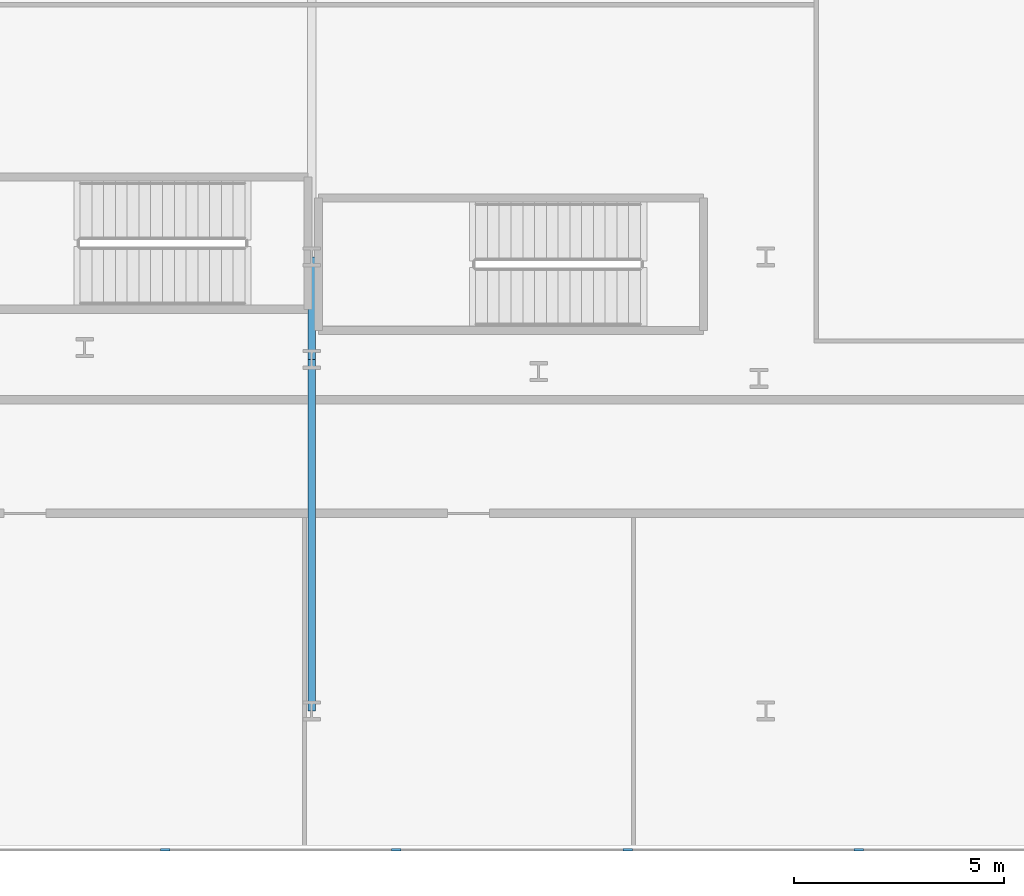
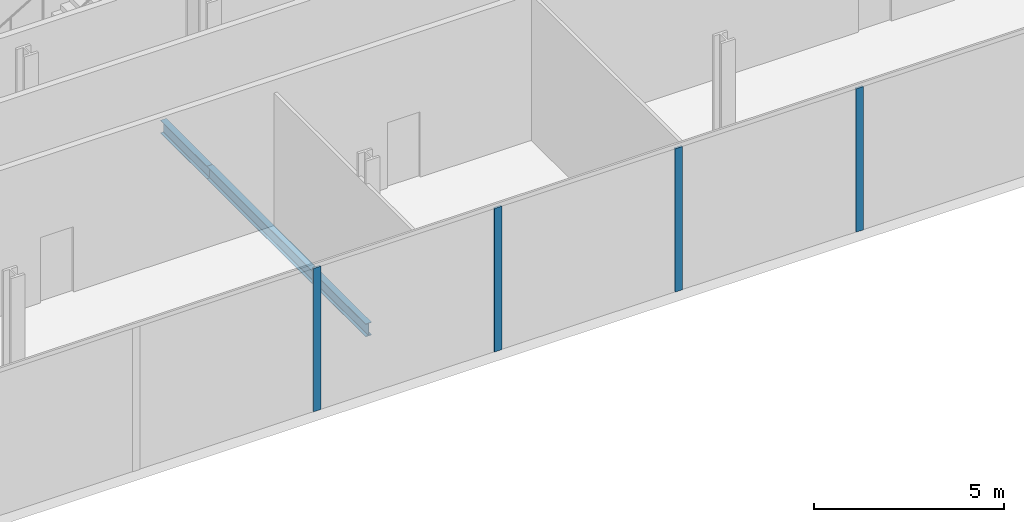
# One storey, part 9 of 47: 4 members, 2 beams, 1 element without a shape of its own.
"""IFC4 building model written with IfcOpenShell, lengths in metres."""

from ifc_helpers import new_model, si_unit, direction, frame, origin, origin_2d, place, context, subcontext, project, spatial, rectangle, i_section, extrude, material, layer, layer_set, material_profile, profile_set, type_object, element, aggregate, save


model = new_model("IFC4")

# Units and contexts
model_context = context("Model", 3, precision=1e-05, world=origin(), true_north=direction((0.0, 1.0)))
body_context = subcontext(model_context, "Body", "Model", "MODEL_VIEW")
ifc_project = project(units=[si_unit("LENGTHUNIT", "METRE"), si_unit("AREAUNIT", "SQUARE_METRE"), si_unit("VOLUMEUNIT", "CUBIC_METRE"), si_unit("PLANEANGLEUNIT", "RADIAN"), si_unit("MASSUNIT", "GRAM", prefix="KILO")], contexts=[model_context])

# Site, building, storey
site_placement = place(None, origin())
site = spatial("IfcSite", under=ifc_project, at=site_placement, CompositionType="ELEMENT")
building_placement = place(site_placement, origin())
building = spatial("IfcBuilding", under=site, at=building_placement, Name="Kheshtan School and Residences Tower", CompositionType="ELEMENT")
storey_placement = place(building_placement, frame((0.0, 0.0, 7.5)))
storey = spatial("IfcBuildingStorey", under=building, at=storey_placement, Name="L01", CompositionType="ELEMENT", Elevation=7.5)

# Beams
ifc_material_1 = material(Name="Steel ASTM A992 Grade 50", Category="steel")
ifc_material_profile_1 = material_profile(ifc_material_1, i_section(OverallWidth=0.180908203125, OverallDepth=0.4169921875, WebThickness=0.010986328125, FlangeThickness=0.018310546875, FilletRadius=0.012451171875, at=origin_2d()), Name="W410x85")
ifc_profile_set_1 = profile_set([ifc_material_profile_1], Name="Steel ASTM A992 Grade 50")
beam_type = type_object("IfcBeamType", Name="Beam PB1 W410x85 ASTM A992 Grade 50", PredefinedType="BEAM", material=ifc_profile_set_1)
beam_1_placement = place(storey_placement, frame((80.0, 13.199951171875, -0.62841796875), z_axis=(0.0, 1.0, 0.0), x_axis=(-1.0, 0.0, 0.0)))
element("IfcBeam", 1, at=beam_1_placement, inside=storey, type_object=beam_type, Name="Podium floor beam PB1", PredefinedType="BEAM", context=body_context, shape_type="SweptSolid", body=[
    extrude(i_section(OverallWidth=0.180908203125, OverallDepth=0.4169921875, WebThickness=0.010986328125, FlangeThickness=0.018310546875, FilletRadius=0.012451171875, at=origin_2d()), origin(), (0.0, 0.0, 1.0), 8.360107421875),
])
beam_2_placement = place(storey_placement, frame((80.0, 21.56005859375, -0.62841796875), z_axis=(0.0, 1.0, 0.0), x_axis=(-1.0, 0.0, 0.0)))
element("IfcBeam", 2, at=beam_2_placement, inside=storey, type_object=beam_type, Name="Podium floor beam PB1", PredefinedType="BEAM", context=body_context, shape_type="SweptSolid", body=[
    extrude(i_section(OverallWidth=0.180908203125, OverallDepth=0.4169921875, WebThickness=0.010986328125, FlangeThickness=0.018310546875, FilletRadius=0.012451171875, at=origin_2d()), origin(), (0.0, 0.0, 1.0), 2.43994140625),
])

# Curtain wall, members
ifc_material_2 = material(Name="Clear low-e glass in thermally broken aluminium frame", Category="aluminium")
ifc_layer = layer(ifc_material_2, 0.22509765625)
ifc_layer_set = layer_set([ifc_layer], Name="Curtain wall CW-P")
curtain_wall_type = type_object("IfcCurtainWallType", Name="Curtain wall CW-P", PredefinedType="NOTDEFINED", material=ifc_layer_set)
curtain_wall_placement = place(storey_placement, origin())
curtain_wall = element("IfcCurtainWall", 3, at=curtain_wall_placement, inside=storey, type_object=curtain_wall_type, Name="Curtain wall CWP12", PredefinedType="NOTDEFINED")
ifc_material_3 = material(Name="Thermally broken aluminium, dark bronze anodised", Category="aluminium")
ifc_material_profile_2 = material_profile(ifc_material_3, rectangle(XDim=0.06005859375, YDim=0.22509765625, at=origin_2d()), Name="CW-P mullion 60x225")
ifc_profile_set_2 = profile_set([ifc_material_profile_2], Name="Thermally broken aluminium, dark bronze anodised")
member_type = type_object("IfcMemberType", Name="CW-P mullion 60x225", PredefinedType="MULLION", material=ifc_profile_set_2)
member_1_placement = place(storey_placement, frame((93.010986328125, 9.89990234375, 0.0), z_axis=(0.0, 0.0, 1.0), x_axis=(0.0, -1.0, 0.0)))
member_1 = element("IfcMember", 4, at=member_1_placement, type_object=member_type, Name="CWP12 mullion 7", PredefinedType="MULLION", context=body_context, shape_type="SweptSolid", body=[
    extrude(rectangle(XDim=0.06005859375, YDim=0.22509765625, at=origin_2d()), origin(), (0.0, 0.0, 1.0), 4.610107421875),
])
member_2_placement = place(storey_placement, frame((87.5126953125, 9.89990234375, 0.0), z_axis=(0.0, 0.0, 1.0), x_axis=(0.0, -1.0, 0.0)))
member_2 = element("IfcMember", 5, at=member_2_placement, type_object=member_type, Name="CWP12 mullion 8", PredefinedType="MULLION", context=body_context, shape_type="SweptSolid", body=[
    extrude(rectangle(XDim=0.06005859375, YDim=0.22509765625, at=origin_2d()), origin(), (0.0, 0.0, 1.0), 4.610107421875),
])
member_3_placement = place(storey_placement, frame((82.0146484375, 9.89990234375, 0.0), z_axis=(0.0, 0.0, 1.0), x_axis=(0.0, -1.0, 0.0)))
member_3 = element("IfcMember", 6, at=member_3_placement, type_object=member_type, Name="CWP12 mullion 9", PredefinedType="MULLION", context=body_context, shape_type="SweptSolid", body=[
    extrude(rectangle(XDim=0.06005859375, YDim=0.22509765625, at=origin_2d()), origin(), (0.0, 0.0, 1.0), 4.610107421875),
])
member_4_placement = place(storey_placement, frame((76.516357421875, 9.89990234375, 0.0), z_axis=(0.0, 0.0, 1.0), x_axis=(0.0, -1.0, 0.0)))
member_4 = element("IfcMember", 7, at=member_4_placement, type_object=member_type, Name="CWP12 mullion 10", PredefinedType="MULLION", context=body_context, shape_type="SweptSolid", body=[
    extrude(rectangle(XDim=0.06005859375, YDim=0.22509765625, at=origin_2d()), origin(), (0.0, 0.0, 1.0), 4.610107421875),
])
aggregate(curtain_wall, [member_1, member_2, member_3, member_4])

save(model, "model.ifc")
